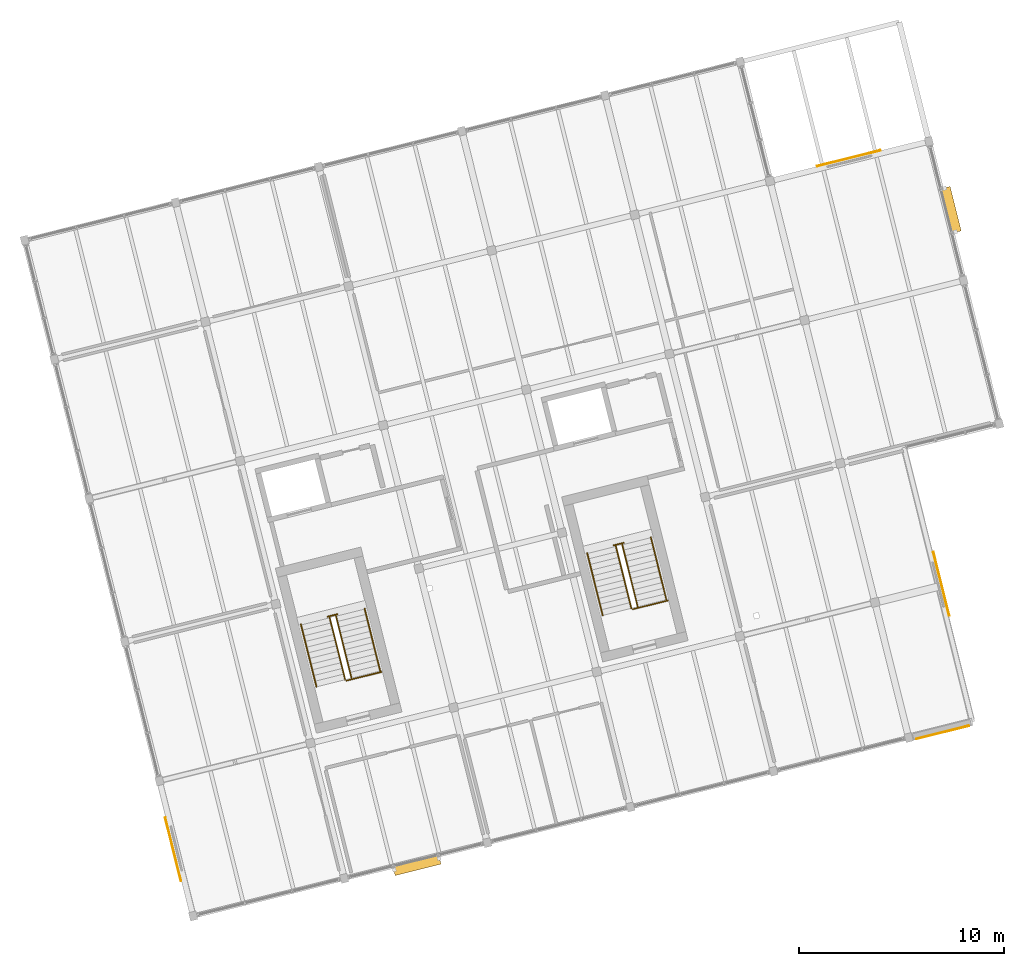
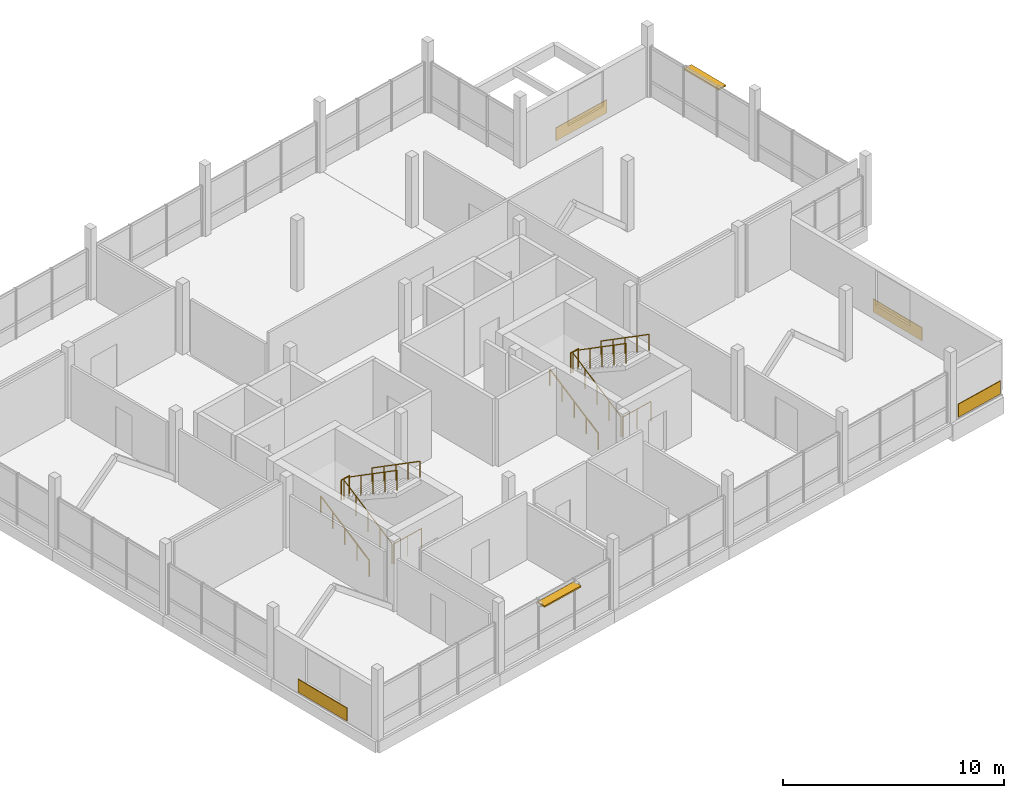
# One storey, part 27 of 27: 12 railings, 4 coverings, 2 shading devices.
"""IFC4 building model written with IfcOpenShell, lengths in metres."""

from ifc_helpers import new_model, si_unit, direction, frame, origin, origin_2d, place, context, subcontext, project, spatial, rectangle, circle, extrude, material, layer, layer_set, type_object, element, save


model = new_model("IFC4")

# Units and contexts
model_context = context("Model", 3, precision=1e-05, world=origin(), true_north=direction((0.0, 1.0)))
body_context = subcontext(model_context, "Body", "Model", "MODEL_VIEW")
ifc_project = project(units=[si_unit("LENGTHUNIT", "METRE"), si_unit("AREAUNIT", "SQUARE_METRE"), si_unit("VOLUMEUNIT", "CUBIC_METRE"), si_unit("PLANEANGLEUNIT", "RADIAN"), si_unit("MASSUNIT", "GRAM", prefix="KILO")], contexts=[model_context])

# Site, building, storey
site_placement = place(None, origin())
site = spatial("IfcSite", under=ifc_project, at=site_placement, CompositionType="ELEMENT")
building_placement = place(site_placement, origin())
building = spatial("IfcBuilding", under=site, at=building_placement, Name="Meriwether Solvik Hall", CompositionType="ELEMENT")
storey_placement = place(building_placement, frame((0.0, 0.0, 33.89990234375)))
storey = spatial("IfcBuildingStorey", under=building, at=storey_placement, Name="L08", CompositionType="ELEMENT", Elevation=33.89990234375)

# Coverings
ifc_material_1 = material(Name="Acetylated Charred Western Red Cedar Timber", Category="wood")
ifc_layer_1 = layer(ifc_material_1, 0.0400390625)
ifc_layer_set_1 = layer_set([ifc_layer_1], Name="Acetylated Charred Western Red Cedar Timber")
covering_type = type_object("IfcCoveringType", Name="COV-CLAD-TIMB", PredefinedType="CLADDING", material=ifc_layer_set_1)
covering_placement = place(storey_placement, frame((105.188232421875, 50.16796875, 0.080078125), z_axis=(0.0, 0.0, 1.0), x_axis=(-0.970295697906, -0.241922009385, 0.0)))
element("IfcCovering", 1, at=covering_placement, inside=storey, type_object=covering_type, Name="L08 Charred Cedar Cladding 1.5", PredefinedType="CLADDING", context=body_context, shape_type="SweptSolid", body=[
    extrude(rectangle(XDim=2.657958984375, YDim=0.0400390625, at=origin_2d()), origin(), (0.0, 0.0, 1.0), 0.719970703125),
])
for number, where, z_axis, x_axis, name in (
    (2, (105.12158203125, 57.4169921875, 0.080078125), (0.0, 0.0, 1.0), (0.241921914296, -0.970295721615, 0.0), "L08 Charred Cedar Cladding 2.0"),
    (3, (100.601806640625, 78.190673828125, 0.080078125), (0.0, 0.0, 1.0), (0.970295717472, 0.241921930909, 0.0), "L08 Charred Cedar Cladding 5.0"),
    (4, (67.622314453125, 44.460205078125, 0.080078125), (0.0, 0.0, 1.0), (-0.241921834905, 0.970295741409, 0.0), "L08 Charred Cedar Cladding 8.0"),
):
    element("IfcCovering", number, at=place(storey_placement, frame(where, z_axis=z_axis, x_axis=x_axis)), inside=storey, type_object=covering_type, Name=name, PredefinedType="CLADDING", context=body_context, shape_type="SweptSolid", body=[
        extrude(rectangle(XDim=3.199951171875, YDim=0.0400390625, at=origin_2d()), origin(), (0.0, 0.0, 1.0), 0.719970703125),
    ])

# Railings
ifc_material_2 = material(Name="Steel A36 Galvanised", Category="steel")
ifc_layer_2 = layer(ifc_material_2, 0.054931640625)
ifc_layer_set_2 = layer_set([ifc_layer_2], Name="Steel A36 Galvanised")
railing_type_1 = type_object("IfcRailingType", Name="RAIL-STR-GUARD", PredefinedType="GUARDRAIL", material=ifc_layer_set_2)
railing_1_placement = place(storey_placement, frame((75.158935546875, 55.81591796875, 1.9501953125)))
element("IfcRailing", 5, at=railing_1_placement, inside=storey, type_object=railing_type_1, Name="Stair ST-01 Landing Guardrail (L08)", PredefinedType="GUARDRAIL", context=body_context, shape_type="SweptSolid", body=[
    extrude(circle(Radius=0.02392578125, at=origin_2d()), frame((0.0, 0.0, 1.09619140625), z_axis=(0.970343250308, 0.241731207299, 0.0), x_axis=(-0.241731207299, 0.970343250308, 0.0)), (0.0, 0.0, 1.0), 0.5),
    extrude(circle(Radius=0.02099609375, at=origin_2d()), origin(), (0.0, 0.0, 1.0), 1.072021484375),
    extrude(circle(Radius=0.02099609375, at=origin_2d()), frame((0.485107421875, 0.120849609375, 0.0)), (0.0, 0.0, 1.0), 1.072021484375),
])
railing_2_placement = place(storey_placement, frame((76.092041015625, 52.69384765625, 0.0)))
element("IfcRailing", 6, at=railing_2_placement, inside=storey, type_object=railing_type_1, Name="Stair ST-01 Well Guardrail (L08)", PredefinedType="GUARDRAIL", context=body_context, shape_type="SweptSolid", body=[
    extrude(circle(Radius=0.02392578125, at=origin_2d()), frame((0.0, 0.0, 1.09619140625), z_axis=(0.970298223594, 0.241911879182, 0.0), x_axis=(-0.241911879182, 0.970298223594, 0.0)), (0.0, 0.0, 1.0), 1.75),
    extrude(circle(Radius=0.02099609375, at=origin_2d()), origin(), (0.0, 0.0, 1.0), 1.072021484375),
    extrude(circle(Radius=0.02099609375, at=origin_2d()), frame((0.84912109375, 0.211669921875, 0.0)), (0.0, 0.0, 1.0), 1.072021484375),
    extrude(circle(Radius=0.02099609375, at=origin_2d()), frame((1.697998046875, 0.42333984375, 0.0)), (0.0, 0.0, 1.0), 1.072021484375),
])
railing_3_placement = place(storey_placement, frame((76.019287109375, 52.737548828125, 0.0)))
element("IfcRailing", 7, at=railing_3_placement, inside=storey, type_object=railing_type_1, Name="Stair ST-01 Flight 1 Inner Guardrail (L08)", PredefinedType="GUARDRAIL", context=body_context, shape_type="SweptSolid", body=[
    extrude(circle(Radius=0.02392578125, at=origin_2d()), frame((0.0, 0.0, 1.09619140625), z_axis=(-0.205445032468, 0.823896074846, 0.528192764516), x_axis=(-0.970288906122, -0.2419492481, 0.0)), (0.0, 0.0, 1.0), 3.692138671875),
    extrude(circle(Radius=0.02099609375, at=origin_2d()), origin(), (0.0, 0.0, 1.0), 1.072021484375),
    extrude(circle(Radius=0.02099609375, at=origin_2d()), frame((-0.189697265625, 0.760498046875, 0.487548828125)), (0.0, 0.0, 1.0), 1.072021484375),
    extrude(circle(Radius=0.02099609375, at=origin_2d()), frame((-0.37939453125, 1.52099609375, 0.97509765625)), (0.0, 0.0, 1.0), 1.072021484375),
    extrude(circle(Radius=0.02099609375, at=origin_2d()), frame((-0.56884765625, 2.281494140625, 1.462646484375)), (0.0, 0.0, 1.0), 1.072021484375),
    extrude(circle(Radius=0.02099609375, at=origin_2d()), frame((-0.758544921875, 3.0419921875, 1.9501953125)), (0.0, 0.0, 1.0), 1.072021484375),
])
railing_4_placement = place(storey_placement, frame((75.5712890625, 55.85693359375, 1.9501953125)))
element("IfcRailing", 8, at=railing_4_placement, inside=storey, type_object=railing_type_1, Name="Stair ST-01 Flight 2 Inner Guardrail (L08)", PredefinedType="GUARDRAIL", context=body_context, shape_type="SweptSolid", body=[
    extrude(circle(Radius=0.02392578125, at=origin_2d()), frame((0.0, 0.0, 1.09619140625), z_axis=(0.205388872055, -0.823936041794, 0.528152260498), x_axis=(0.970307185051, 0.241875932325, 0.0)), (0.0, 0.0, 1.0), 3.692138671875),
    extrude(circle(Radius=0.02099609375, at=origin_2d()), origin(), (0.0, 0.0, 1.0), 1.072021484375),
    extrude(circle(Radius=0.02099609375, at=origin_2d()), frame((0.189453125, -0.760498046875, 0.487548828125)), (0.0, 0.0, 1.0), 1.072021484375),
    extrude(circle(Radius=0.02099609375, at=origin_2d()), frame((0.379150390625, -1.52099609375, 0.97509765625)), (0.0, 0.0, 1.0), 1.072021484375),
    extrude(circle(Radius=0.02099609375, at=origin_2d()), frame((0.56884765625, -2.281494140625, 1.46240234375)), (0.0, 0.0, 1.0), 1.072021484375),
    extrude(circle(Radius=0.02099609375, at=origin_2d()), frame((0.75830078125, -3.0419921875, 1.949951171875)), (0.0, 0.0, 1.0), 1.072021484375),
])
railing_5_placement = place(storey_placement, frame((89.131103515625, 59.299560546875, 1.9501953125)))
element("IfcRailing", 9, at=railing_5_placement, inside=storey, type_object=railing_type_1, Name="Stair ST-02 Landing Guardrail (L08)", PredefinedType="GUARDRAIL", context=body_context, shape_type="SweptSolid", body=[
    extrude(circle(Radius=0.02392578125, at=origin_2d()), frame((0.0, 0.0, 1.09619140625), z_axis=(0.970228607419, 0.242190935722, 0.0), x_axis=(-0.242190935722, 0.970228607419, 0.0)), (0.0, 0.0, 1.0), 0.5),
    extrude(circle(Radius=0.02099609375, at=origin_2d()), origin(), (0.0, 0.0, 1.0), 1.072021484375),
    extrude(circle(Radius=0.02099609375, at=origin_2d()), frame((0.485107421875, 0.12109375, 0.0)), (0.0, 0.0, 1.0), 1.072021484375),
])
railing_6_placement = place(storey_placement, frame((90.064208984375, 56.177490234375, 0.0)))
element("IfcRailing", 10, at=railing_6_placement, inside=storey, type_object=railing_type_1, Name="Stair ST-02 Well Guardrail (L08)", PredefinedType="GUARDRAIL", context=body_context, shape_type="SweptSolid", body=[
    extrude(circle(Radius=0.02392578125, at=origin_2d()), frame((0.0, 0.0, 1.09619140625), z_axis=(0.970298223594, 0.241911879182, 0.0), x_axis=(-0.241911879182, 0.970298223594, 0.0)), (0.0, 0.0, 1.0), 1.75),
    extrude(circle(Radius=0.02099609375, at=origin_2d()), origin(), (0.0, 0.0, 1.0), 1.072021484375),
    extrude(circle(Radius=0.02099609375, at=origin_2d()), frame((0.84912109375, 0.211669921875, 0.0)), (0.0, 0.0, 1.0), 1.072021484375),
    extrude(circle(Radius=0.02099609375, at=origin_2d()), frame((1.697998046875, 0.42333984375, 0.0)), (0.0, 0.0, 1.0), 1.072021484375),
])
railing_7_placement = place(storey_placement, frame((89.991455078125, 56.22119140625, 0.0)))
element("IfcRailing", 11, at=railing_7_placement, inside=storey, type_object=railing_type_1, Name="Stair ST-02 Flight 1 Inner Guardrail (L08)", PredefinedType="GUARDRAIL", context=body_context, shape_type="SweptSolid", body=[
    extrude(circle(Radius=0.02392578125, at=origin_2d()), frame((0.0, 0.0, 1.09619140625), z_axis=(-0.205445032468, 0.823896074846, 0.528192764516), x_axis=(-0.970288906122, -0.2419492481, 0.0)), (0.0, 0.0, 1.0), 3.692138671875),
    extrude(circle(Radius=0.02099609375, at=origin_2d()), origin(), (0.0, 0.0, 1.0), 1.072021484375),
    extrude(circle(Radius=0.02099609375, at=origin_2d()), frame((-0.189697265625, 0.760498046875, 0.487548828125)), (0.0, 0.0, 1.0), 1.072021484375),
    extrude(circle(Radius=0.02099609375, at=origin_2d()), frame((-0.37939453125, 1.52099609375, 0.97509765625)), (0.0, 0.0, 1.0), 1.072021484375),
    extrude(circle(Radius=0.02099609375, at=origin_2d()), frame((-0.56884765625, 2.281494140625, 1.462646484375)), (0.0, 0.0, 1.0), 1.072021484375),
    extrude(circle(Radius=0.02099609375, at=origin_2d()), frame((-0.758544921875, 3.0419921875, 1.9501953125)), (0.0, 0.0, 1.0), 1.072021484375),
])
railing_8_placement = place(storey_placement, frame((89.54345703125, 59.340576171875, 1.9501953125)))
element("IfcRailing", 12, at=railing_8_placement, inside=storey, type_object=railing_type_1, Name="Stair ST-02 Flight 2 Inner Guardrail (L08)", PredefinedType="GUARDRAIL", context=body_context, shape_type="SweptSolid", body=[
    extrude(circle(Radius=0.02392578125, at=origin_2d()), frame((0.0, 0.0, 1.09619140625), z_axis=(0.205452207734, -0.823924849814, 0.528145086313), x_axis=(0.970288906122, 0.2419492481, 0.0)), (0.0, 0.0, 1.0), 3.692138671875),
    extrude(circle(Radius=0.02099609375, at=origin_2d()), origin(), (0.0, 0.0, 1.0), 1.072021484375),
    extrude(circle(Radius=0.02099609375, at=origin_2d()), frame((0.189697265625, -0.760498046875, 0.487548828125)), (0.0, 0.0, 1.0), 1.072021484375),
    extrude(circle(Radius=0.02099609375, at=origin_2d()), frame((0.37939453125, -1.52099609375, 0.97509765625)), (0.0, 0.0, 1.0), 1.072021484375),
    extrude(circle(Radius=0.02099609375, at=origin_2d()), frame((0.56884765625, -2.281494140625, 1.46240234375)), (0.0, 0.0, 1.0), 1.072021484375),
    extrude(circle(Radius=0.02099609375, at=origin_2d()), frame((0.758544921875, -3.0419921875, 1.949951171875)), (0.0, 0.0, 1.0), 1.072021484375),
])
ifc_material_3 = material(Name="Stainless Steel AISI 316", Category="steel")
ifc_layer_3 = layer(ifc_material_3, 0.044921875)
ifc_layer_set_3 = layer_set([ifc_layer_3], Name="Stainless Steel AISI 316")
railing_type_2 = type_object("IfcRailingType", Name="RAIL-STR-HAND", PredefinedType="HANDRAIL", material=ifc_layer_set_3)
railing_9_placement = place(storey_placement, frame((74.6220703125, 52.38916015625, 0.0)))
element("IfcRailing", 13, at=railing_9_placement, inside=storey, type_object=railing_type_2, Name="Stair ST-01 Lower Handrail (L08)", PredefinedType="HANDRAIL", context=body_context, shape_type="SweptSolid", body=[
    extrude(circle(Radius=0.02392578125, at=origin_2d()), frame((0.0, 0.0, 0.89599609375), z_axis=(-0.205467106702, 0.823914517495, 0.528155408876), x_axis=(-0.970284074567, -0.241968623258, 0.0)), (0.0, 0.0, 1.0), 3.698974609375),
    extrude(circle(Radius=0.02099609375, at=origin_2d()), origin(), (0.0, 0.0, 1.0), 0.871826171875),
    extrude(circle(Radius=0.02099609375, at=origin_2d()), frame((-0.18994140625, 0.761962890625, 0.48828125)), (0.0, 0.0, 1.0), 0.871826171875),
    extrude(circle(Radius=0.02099609375, at=origin_2d()), frame((-0.3798828125, 1.52392578125, 0.976806640625)), (0.0, 0.0, 1.0), 0.871826171875),
    extrude(circle(Radius=0.02099609375, at=origin_2d()), frame((-0.570068359375, 2.28564453125, 1.46533203125)), (0.0, 0.0, 1.0), 0.871826171875),
    extrude(circle(Radius=0.02099609375, at=origin_2d()), frame((-0.760009765625, 3.047607421875, 1.95361328125)), (0.0, 0.0, 1.0), 0.871826171875),
])
railing_10_placement = place(storey_placement, frame((76.968505859375, 56.205322265625, 1.9501953125)))
element("IfcRailing", 14, at=railing_10_placement, inside=storey, type_object=railing_type_2, Name="Stair ST-01 Upper Handrail (L08)", PredefinedType="HANDRAIL", context=body_context, shape_type="SweptSolid", body=[
    extrude(circle(Radius=0.02392578125, at=origin_2d()), frame((0.0, 0.0, 0.89599609375), z_axis=(0.205403888919, -0.823925689387, 0.528162570414), x_axis=(0.970302321101, 0.241895443665, 0.0)), (0.0, 0.0, 1.0), 3.698974609375),
    extrude(circle(Radius=0.02099609375, at=origin_2d()), origin(), (0.0, 0.0, 1.0), 0.871826171875),
    extrude(circle(Radius=0.02099609375, at=origin_2d()), frame((0.18994140625, -0.761962890625, 0.48828125)), (0.0, 0.0, 1.0), 0.871826171875),
    extrude(circle(Radius=0.02099609375, at=origin_2d()), frame((0.3798828125, -1.52392578125, 0.976806640625)), (0.0, 0.0, 1.0), 0.871826171875),
    extrude(circle(Radius=0.02099609375, at=origin_2d()), frame((0.56982421875, -2.28564453125, 1.46533203125)), (0.0, 0.0, 1.0), 0.871826171875),
    extrude(circle(Radius=0.02099609375, at=origin_2d()), frame((0.759765625, -3.047607421875, 1.95361328125)), (0.0, 0.0, 1.0), 0.871826171875),
])
railing_11_placement = place(storey_placement, frame((88.59423828125, 55.872802734375, 0.0)))
element("IfcRailing", 15, at=railing_11_placement, inside=storey, type_object=railing_type_2, Name="Stair ST-02 Lower Handrail (L08)", PredefinedType="HANDRAIL", context=body_context, shape_type="SweptSolid", body=[
    extrude(circle(Radius=0.02392578125, at=origin_2d()), frame((0.0, 0.0, 0.89599609375), z_axis=(-0.205403888919, 0.823925689387, 0.528162570414), x_axis=(-0.970302321101, -0.241895443665, 0.0)), (0.0, 0.0, 1.0), 3.698974609375),
    extrude(circle(Radius=0.02099609375, at=origin_2d()), origin(), (0.0, 0.0, 1.0), 0.871826171875),
    extrude(circle(Radius=0.02099609375, at=origin_2d()), frame((-0.18994140625, 0.761962890625, 0.48828125)), (0.0, 0.0, 1.0), 0.871826171875),
    extrude(circle(Radius=0.02099609375, at=origin_2d()), frame((-0.3798828125, 1.52392578125, 0.976806640625)), (0.0, 0.0, 1.0), 0.871826171875),
    extrude(circle(Radius=0.02099609375, at=origin_2d()), frame((-0.56982421875, 2.28564453125, 1.46533203125)), (0.0, 0.0, 1.0), 0.871826171875),
    extrude(circle(Radius=0.02099609375, at=origin_2d()), frame((-0.759765625, 3.047607421875, 1.95361328125)), (0.0, 0.0, 1.0), 0.871826171875),
])
railing_12_placement = place(storey_placement, frame((90.940673828125, 59.68896484375, 1.9501953125)))
element("IfcRailing", 16, at=railing_12_placement, inside=storey, type_object=railing_type_2, Name="Stair ST-02 Upper Handrail (L08)", PredefinedType="HANDRAIL", context=body_context, shape_type="SweptSolid", body=[
    extrude(circle(Radius=0.02392578125, at=origin_2d()), frame((0.0, 0.0, 0.89599609375), z_axis=(0.205467106702, -0.823914517495, 0.528155408876), x_axis=(0.970284074567, 0.241968623258, 0.0)), (0.0, 0.0, 1.0), 3.698974609375),
    extrude(circle(Radius=0.02099609375, at=origin_2d()), origin(), (0.0, 0.0, 1.0), 0.871826171875),
    extrude(circle(Radius=0.02099609375, at=origin_2d()), frame((0.18994140625, -0.761962890625, 0.48828125)), (0.0, 0.0, 1.0), 0.871826171875),
    extrude(circle(Radius=0.02099609375, at=origin_2d()), frame((0.3798828125, -1.52392578125, 0.976806640625)), (0.0, 0.0, 1.0), 0.871826171875),
    extrude(circle(Radius=0.02099609375, at=origin_2d()), frame((0.570068359375, -2.28564453125, 1.46533203125)), (0.0, 0.0, 1.0), 0.871826171875),
    extrude(circle(Radius=0.02099609375, at=origin_2d()), frame((0.760009765625, -3.047607421875, 1.95361328125)), (0.0, 0.0, 1.0), 0.871826171875),
])

# Shading devices
ifc_material_4 = material(Name="Anodised Aluminium 6063-T6", Category="aluminium")
shading_device_type_1 = type_object("IfcShadingDeviceType", Name="SHD-LOUVRE-S", PredefinedType="SHUTTER", material=ifc_material_4)
shading_device_1_placement = place(storey_placement, frame((79.525390625, 43.6767578125, 2.530029296875), z_axis=(0.0, 0.0, 1.0), x_axis=(-0.970295738259, -0.241921847539, 0.0)))
element("IfcShadingDevice", 17, at=shading_device_1_placement, inside=storey, type_object=shading_device_type_1, Name="Solar Shading Louvre E0_B1", PredefinedType="SHUTTER", context=body_context, shape_type="SweptSolid", body=[
    extrude(rectangle(XDim=2.303955078125, YDim=0.4599609375, at=origin_2d()), origin(), (0.0, 0.0, 1.0), 0.080078125),
])
ifc_material_5 = material(Name="Anodised Aluminium 6063-T6", Category="aluminium")
shading_device_type_2 = type_object("IfcShadingDeviceType", Name="SHD-LOUVRE-W", PredefinedType="USERDEFINED", material=ifc_material_5)
shading_device_2_placement = place(storey_placement, frame((105.598876953125, 75.6748046875, 2.530029296875), z_axis=(0.0, 0.0, 1.0), x_axis=(0.241921751704, -0.970295762153, 0.0)))
element("IfcShadingDevice", 18, at=shading_device_2_placement, inside=storey, type_object=shading_device_type_2, Name="Solar Shading Louvre E3_B1", ObjectType="LOUVER", PredefinedType="USERDEFINED", context=body_context, shape_type="SweptSolid", body=[
    extrude(rectangle(XDim=2.2373046875, YDim=0.4599609375, at=origin_2d()), origin(), (0.0, 0.0, 1.0), 0.080078125),
])

save(model, "model.ifc")
